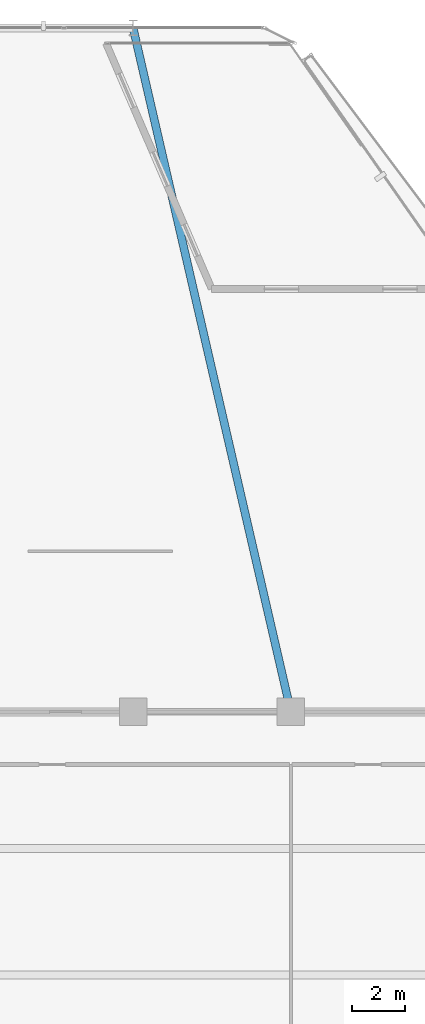
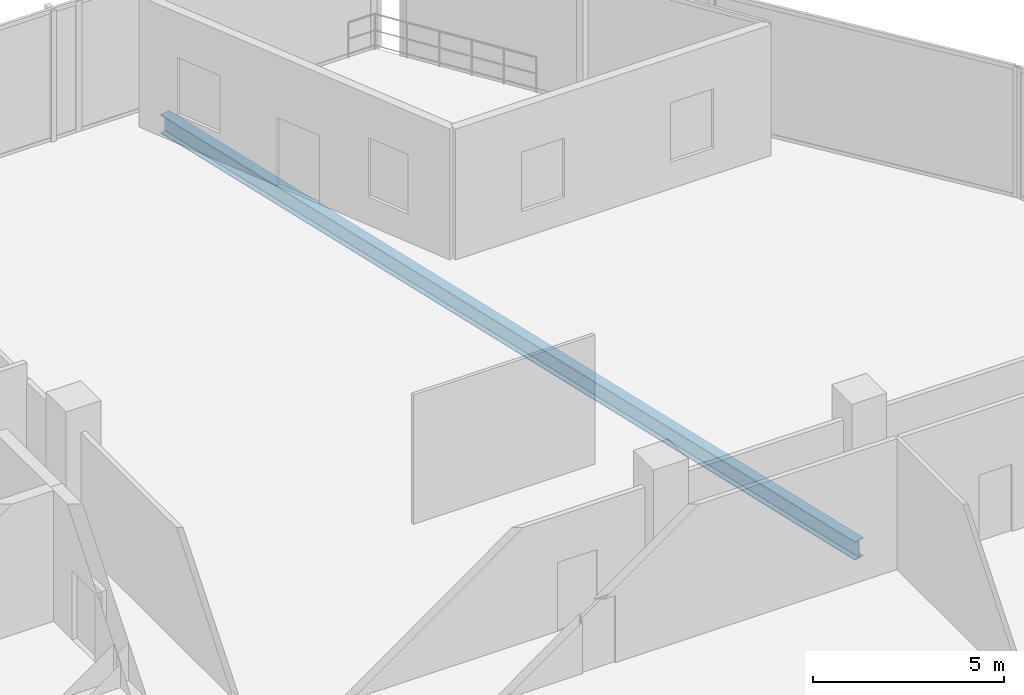
# One storey, part 18 of 31: 1 beam.
"""IFC4 building model written with IfcOpenShell, lengths in metres."""

from ifc_helpers import new_model, si_unit, direction, frame, origin, origin_2d, place, context, subcontext, project, spatial, i_section, extrude, material, material_profile, profile_set, type_object, element, save


model = new_model("IFC4")

# Units and contexts
model_context = context("Model", 3, precision=1e-05, world=origin(), true_north=direction((0.0, 1.0)))
body_context = subcontext(model_context, "Body", "Model", "MODEL_VIEW")
ifc_project = project(units=[si_unit("LENGTHUNIT", "METRE"), si_unit("AREAUNIT", "SQUARE_METRE"), si_unit("VOLUMEUNIT", "CUBIC_METRE"), si_unit("PLANEANGLEUNIT", "RADIAN"), si_unit("MASSUNIT", "GRAM", prefix="KILO")], contexts=[model_context])

# Site, building, storey
site_placement = place(None, origin())
site = spatial("IfcSite", under=ifc_project, at=site_placement, CompositionType="ELEMENT")
building_placement = place(site_placement, origin())
building = spatial("IfcBuilding", under=site, at=building_placement, Name="Keshet Zoharim Tower", CompositionType="ELEMENT")
storey_placement = place(building_placement, frame((0.0, 0.0, 125.300048828125)))
storey = spatial("IfcBuildingStorey", under=building, at=storey_placement, Name="L30", CompositionType="ELEMENT", Elevation=125.300048828125)

# Beam
ifc_material = material(Name="Steel S355", Category="steel")
ifc_material_profile = material_profile(ifc_material, i_section(OverallWidth=0.300048828125, OverallDepth=0.60009765625, WebThickness=0.015380859375, FlangeThickness=0.030029296875, FilletRadius=0.027099609375, at=origin_2d()), Name="HEB600")
ifc_profile_set = profile_set([ifc_material_profile], Name="Steel S355")
beam_type = type_object("IfcBeamType", Name="BM-LNG-HB600", PredefinedType="BEAM", material=ifc_profile_set)
beam_placement = place(storey_placement, frame((45.0, 53.89990234375, -0.6201171875), z_axis=(0.224859506699, -0.974391195695, 0.0), x_axis=(0.974391195695, 0.224859506699, 0.0)))
element("IfcBeam", 1, at=beam_placement, inside=storey, type_object=beam_type, Name="L30 Sky Terrace Support Girder 01", PredefinedType="BEAM", context=body_context, shape_type="SweptSolid", body=[
    extrude(i_section(OverallWidth=0.300048828125, OverallDepth=0.60009765625, WebThickness=0.015380859375, FlangeThickness=0.030029296875, FilletRadius=0.027099609375, at=origin_2d()), origin(), (0.0, 0.0, 1.0), 26.683349609375),
])

save(model, "model.ifc")
